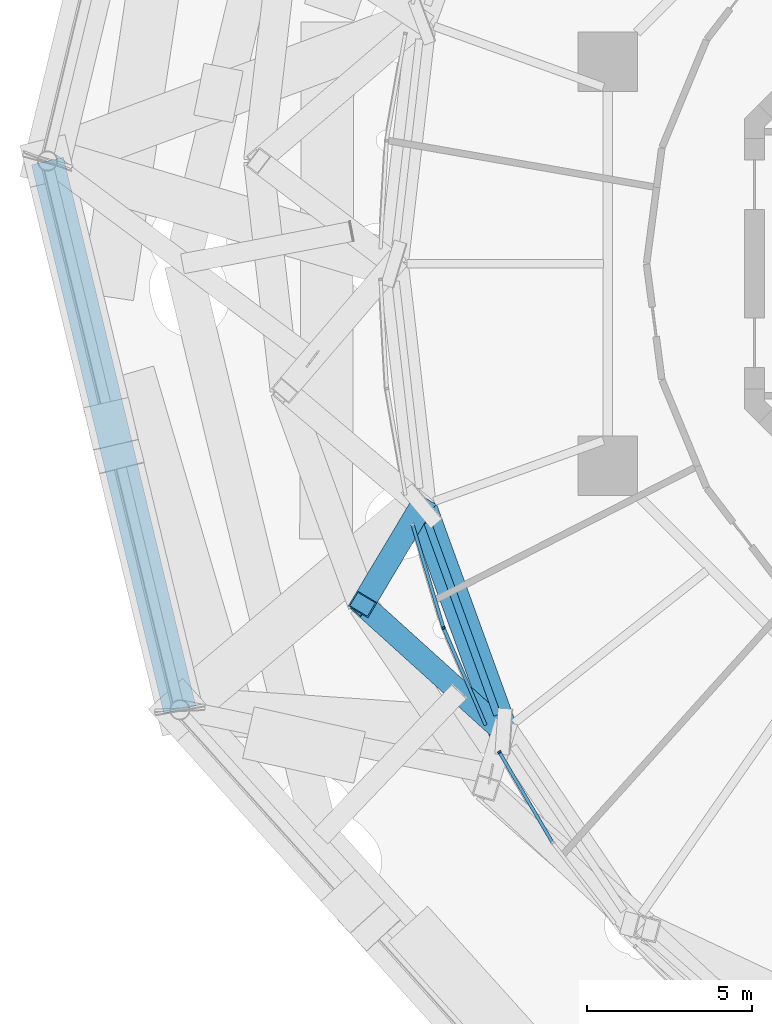
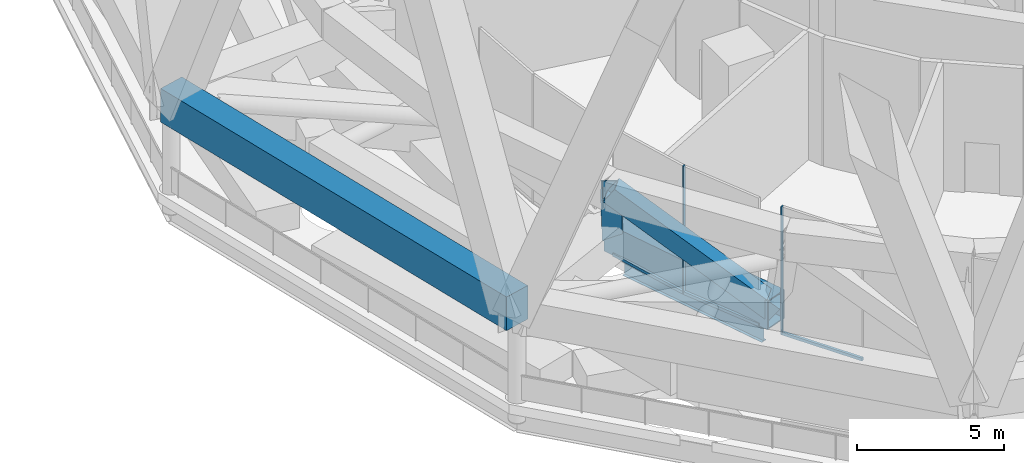
# One storey, part 9 of 60: 6 members, 4 beams, 3 elements without a shape of their own.
"""IFC4 building model written with IfcOpenShell, lengths in metres."""

from ifc_helpers import new_model, si_unit, direction, frame, origin, origin_2d, place, context, subcontext, project, spatial, rectangle, hollow_rectangle, i_section, extrude, material, layer, layer_set, material_profile, profile_set, type_object, element, aggregate, save


model = new_model("IFC4")

# Units and contexts
model_context = context("Model", 3, precision=1e-05, world=origin(), true_north=direction((0.0, 1.0)))
body_context = subcontext(model_context, "Body", "Model", "MODEL_VIEW")
ifc_project = project(units=[si_unit("LENGTHUNIT", "METRE"), si_unit("AREAUNIT", "SQUARE_METRE"), si_unit("VOLUMEUNIT", "CUBIC_METRE"), si_unit("PLANEANGLEUNIT", "RADIAN"), si_unit("MASSUNIT", "GRAM", prefix="KILO")], contexts=[model_context])

# Site, building, storey
site_placement = place(None, origin())
site = spatial("IfcSite", under=ifc_project, at=site_placement, CompositionType="ELEMENT")
building_placement = place(site_placement, origin())
building = spatial("IfcBuilding", under=site, at=building_placement, Name="Nagisa Residences", CompositionType="ELEMENT")
storey_placement = place(building_placement, frame((0.0, 0.0, 206.60009765625)))
storey = spatial("IfcBuildingStorey", under=building, at=storey_placement, Name="L52", CompositionType="ELEMENT", Elevation=206.60009765625)

# Beams
ifc_material_1 = material(Name="Steel ASTM A572 Gr 50", Category="steel")
ifc_material_profile_1 = material_profile(ifc_material_1, hollow_rectangle(XDim=0.89990234375, YDim=1.199951171875, WallThickness=0.044921875, at=origin_2d()), Name="BX 900x1200x45")
ifc_profile_set_1 = profile_set([ifc_material_profile_1], Name="Steel ASTM A572 Gr 50")
beam_type_1 = type_object("IfcBeamType", Name="Belt chord 4 BX 900x1200x45", PredefinedType="BEAM", material=ifc_profile_set_1)
beam_1_placement = place(storey_placement, frame((-20.427490234375, -7.343994140625, 0.599853515625), z_axis=(0.341325710829, -0.939945083038, 0.0), x_axis=(0.939945083038, 0.341325710829, 0.0)))
element("IfcBeam", 1, at=beam_1_placement, inside=storey, type_object=beam_type_1, Name="beam:L52:bt4b14", PredefinedType="BEAM", context=body_context, shape_type="SweptSolid", body=[
    extrude(hollow_rectangle(XDim=0.89990234375, YDim=1.199951171875, WallThickness=0.044921875, at=origin_2d()), origin(), (0.0, 0.0, 1.0), 7.28076171875),
])
ifc_material_2 = material(Name="Steel ASTM A572 Gr 50", Category="steel")
ifc_material_profile_2 = material_profile(ifc_material_2, hollow_rectangle(XDim=0.699951171875, YDim=0.699951171875, WallThickness=0.0400390625, at=origin_2d()), Name="BX 700x700x40")
ifc_profile_set_2 = profile_set([ifc_material_profile_2], Name="Steel ASTM A572 Gr 50")
beam_type_2 = type_object("IfcBeamType", Name="Belt diagonal 4 BX 700x700x40", PredefinedType="BEAM", material=ifc_profile_set_2)
beam_2_placement = place(storey_placement, frame((-20.427490234375, -7.343994140625, 0.599853515625), z_axis=(-0.330118212143, -0.551852879943, 0.765820060399), x_axis=(0.858173788077, -0.51335927912, 0.0)))
element("IfcBeam", 2, at=beam_2_placement, inside=storey, type_object=beam_type_2, Name="beam:L52:bt4db14", PredefinedType="BEAM", context=body_context, shape_type="SweptSolid", body=[
    extrude(hollow_rectangle(XDim=0.699951171875, YDim=0.699951171875, WallThickness=0.0400390625, at=origin_2d()), origin(), (0.0, 0.0, 1.0), 5.40625),
])
beam_3_placement = place(storey_placement, frame((-17.9423828125, -14.1875, 0.599853515625), z_axis=(-0.602200801729, 0.544422029627, 0.58391681604), x_axis=(-0.670624512219, -0.741796982746, 0.0)))
element("IfcBeam", 3, at=beam_3_placement, inside=storey, type_object=beam_type_2, Name="beam:L52:bt4da15", PredefinedType="BEAM", context=body_context, shape_type="SweptSolid", body=[
    extrude(hollow_rectangle(XDim=0.699951171875, YDim=0.699951171875, WallThickness=0.0400390625, at=origin_2d()), origin(), (0.0, 0.0, 1.0), 7.09033203125),
])

# Curtain wall, member
ifc_material_3 = material(Name="Aluminium curtain wall system", Category="aluminium")
ifc_layer = layer(ifc_material_3, 0.159912109375)
ifc_layer_set = layer_set([ifc_layer], Name="CW5 CURTAIN WALL")
curtain_wall_type = type_object("IfcCurtainWallType", Name="CW5 CURTAIN WALL", PredefinedType="NOTDEFINED", material=ifc_layer_set)
curtain_wall_1_placement = place(storey_placement, origin())
curtain_wall_1 = element("IfcCurtainWall", 4, at=curtain_wall_1_placement, inside=storey, type_object=curtain_wall_type, Name="cw:CW5:L52:27", PredefinedType="NOTDEFINED")
ifc_material_4 = material(Name="Aluminium", Category="aluminium")
ifc_material_profile_3 = material_profile(ifc_material_4, rectangle(XDim=0.10009765625, YDim=0.06005859375, at=origin_2d()), Name="CW5 MULLION 100x60")
ifc_profile_set_3 = profile_set([ifc_material_profile_3], Name="Aluminium")
member_type_1 = type_object("IfcMemberType", Name="CW5 MULLION 100x60", PredefinedType="MULLION", material=ifc_profile_set_3)
member_1_placement = place(storey_placement, frame((-19.758056640625, -11.045654296875, 0.0), z_axis=(0.0, 0.0, 1.0), x_axis=(0.917543276295, 0.397635934147, 0.0)))
member_1 = element("IfcMember", 5, at=member_1_placement, type_object=member_type_1, Name="CW5 mullion", PredefinedType="MULLION", context=body_context, shape_type="SweptSolid", body=[
    extrude(rectangle(XDim=0.10009765625, YDim=0.06005859375, at=origin_2d()), origin(), (0.0, 0.0, 1.0), 5.33984375),
])

curtain_wall_2_placement = place(storey_placement, origin())
curtain_wall_2 = element("IfcCurtainWall", 6, at=curtain_wall_2_placement, inside=storey, type_object=curtain_wall_type, Name="cw:CW5:L52:28", PredefinedType="NOTDEFINED")
member_2_placement = place(storey_placement, frame((-18.0634765625, -14.810791015625, 0.0), z_axis=(0.0, 0.0, 1.0), x_axis=(0.862328898214, 0.506348567002, 0.0)))
member_2 = element("IfcMember", 7, at=member_2_placement, type_object=member_type_1, Name="CW5 mullion", PredefinedType="MULLION", context=body_context, shape_type="SweptSolid", body=[
    extrude(rectangle(XDim=0.10009765625, YDim=0.06005859375, at=origin_2d()), origin(), (0.0, 0.0, 1.0), 5.33984375),
])

curtain_wall_3_placement = place(storey_placement, origin())
curtain_wall_3 = element("IfcCurtainWall", 8, at=curtain_wall_3_placement, inside=storey, type_object=curtain_wall_type, Name="cw:CW5:L52:26", PredefinedType="NOTDEFINED")
ifc_material_5 = material(Name="Aluminium", Category="aluminium")
ifc_material_profile_4 = material_profile(ifc_material_5, rectangle(XDim=0.10009765625, YDim=0.1201171875, at=origin_2d()), Name="CW5 TRANSOM 100x120")
ifc_profile_set_4 = profile_set([ifc_material_profile_4], Name="Aluminium")
member_type_2 = type_object("IfcMemberType", Name="CW5 TRANSOM 100x120", PredefinedType="USERDEFINED", material=ifc_profile_set_4)
member_3_placement = place(storey_placement, frame((-20.705078125, -7.8818359375, 0.059814453125), z_axis=(0.285853055917, -0.958273463278, 0.0), x_axis=(0.958273463278, 0.285853055917, 0.0)))
member_3 = element("IfcMember", 9, at=member_3_placement, type_object=member_type_2, Name="CW5 transom", ObjectType="TRANSOM", PredefinedType="USERDEFINED", context=body_context, shape_type="SweptSolid", body=[
    extrude(rectangle(XDim=0.10009765625, YDim=0.1201171875, at=origin_2d()), origin(), (0.0, 0.0, 1.0), 3.2822265625),
])
aggregate(curtain_wall_3, [member_3])

# Member
member_4_placement = place(storey_placement, frame((-19.77001953125, -11.01806640625, 0.059814453125), z_axis=(0.397624344801, -0.917548298686, 0.0), x_axis=(0.917548298686, 0.397624344801, 0.0)))
member_4 = element("IfcMember", 10, at=member_4_placement, type_object=member_type_2, Name="CW5 transom", ObjectType="TRANSOM", PredefinedType="USERDEFINED", context=body_context, shape_type="SweptSolid", body=[
    extrude(rectangle(XDim=0.10009765625, YDim=0.1201171875, at=origin_2d()), origin(), (0.0, 0.0, 1.0), 3.241943359375),
])

aggregate(curtain_wall_1, [member_1, member_4])

member_5_placement = place(storey_placement, frame((-18.07861328125, -14.78515625, 0.059814453125), z_axis=(0.506351440245, -0.862327211076, 0.0), x_axis=(0.862327211076, 0.506351440245, 0.0)))
member_5 = element("IfcMember", 11, at=member_5_placement, type_object=member_type_2, Name="CW5 transom", ObjectType="TRANSOM", PredefinedType="USERDEFINED", context=body_context, shape_type="SweptSolid", body=[
    extrude(rectangle(XDim=0.10009765625, YDim=0.1201171875, at=origin_2d()), origin(), (0.0, 0.0, 1.0), 3.19189453125),
])

aggregate(curtain_wall_2, [member_2, member_5])

ifc_material_6 = material(Name="Concrete C80", Category="concrete")
ifc_material_profile_5 = material_profile(ifc_material_6, rectangle(XDim=1.0, YDim=1.39990234375, at=origin_2d()), Name="C80 1000x1400")
ifc_profile_set_5 = profile_set([ifc_material_profile_5], Name="Concrete C80")
member_type_3 = type_object("IfcMemberType", Name="Cage ring 5 C80 1000x1400", PredefinedType="CHORD", material=ifc_profile_set_5)
member_6_placement = place(storey_placement, frame((-31.77001953125, 3.11767578125, 3.699951171875), z_axis=(0.234495574244, -0.972117187205, 0.0), x_axis=(0.972117187205, 0.234495574244, 0.0)))
element("IfcMember", 12, at=member_6_placement, inside=storey, type_object=member_type_3, Name="beam:L52:cg5r007", PredefinedType="CHORD", context=body_context, shape_type="SweptSolid", body=[
    extrude(rectangle(XDim=1.0, YDim=1.39990234375, at=origin_2d()), origin(), (0.0, 0.0, 1.0), 17.12255859375),
])

# Beam
ifc_material_7 = material(Name="Steel ASTM A572 Gr 50", Category="steel")
ifc_material_profile_6 = material_profile(ifc_material_7, i_section(OverallWidth=0.22802734375, OverallDepth=0.60302734375, WebThickness=0.010498046875, FlangeThickness=0.014892578125, at=origin_2d()), Name="W610x101")
ifc_profile_set_6 = profile_set([ifc_material_profile_6], Name="Steel ASTM A572 Gr 50")
beam_type_3 = type_object("IfcBeamType", Name="Perimeter ring beam W610x101", PredefinedType="BEAM", material=ifc_profile_set_6)
beam_4_placement = place(storey_placement, frame((-20.2451171875, -7.845703125, -0.651611328125), z_axis=(0.341285525681, -0.939959674646, 0.0), x_axis=(0.939959674646, 0.341285525681, 0.0)))
element("IfcBeam", 13, at=beam_4_placement, inside=storey, type_object=beam_type_3, Name="beam:L52:pb14", PredefinedType="BEAM", context=body_context, shape_type="SweptSolid", body=[
    extrude(i_section(OverallWidth=0.22802734375, OverallDepth=0.60302734375, WebThickness=0.010498046875, FlangeThickness=0.014892578125, at=origin_2d()), origin(), (0.0, 0.0, 1.0), 6.212890625),
])

save(model, "model.ifc")
